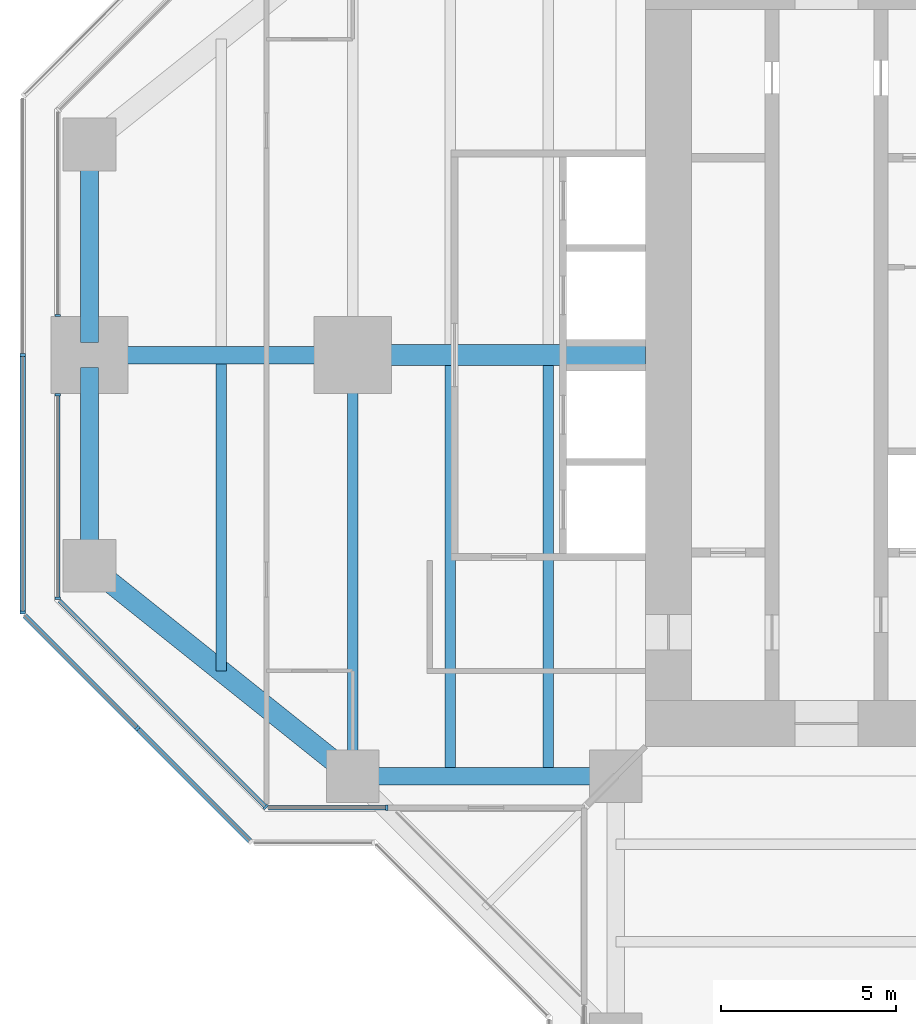
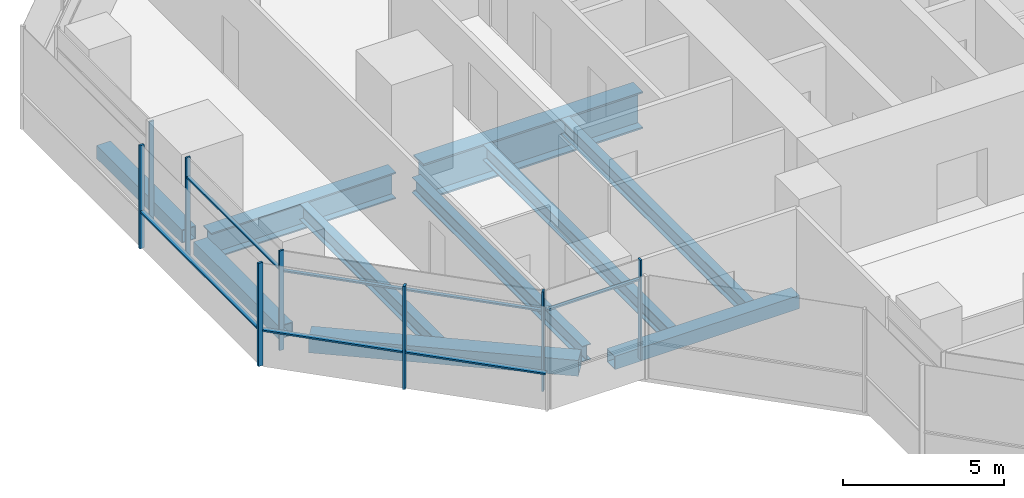
# One storey, part 3 of 17: 14 members, 10 beams, 6 elements without a shape of their own.
"""IFC4 building model written with IfcOpenShell, lengths in metres."""

from ifc_helpers import new_model, si_unit, direction, frame, origin, origin_2d, place, context, subcontext, project, spatial, rectangle, hollow_rectangle, i_section, extrude, material, material_profile, profile_set, type_object, element, aggregate, save


model = new_model("IFC4")

# Units and contexts
model_context = context("Model", 3, precision=1e-05, world=origin(), true_north=direction((0.0, 1.0)))
body_context = subcontext(model_context, "Body", "Model", "MODEL_VIEW")
ifc_project = project(units=[si_unit("LENGTHUNIT", "METRE"), si_unit("AREAUNIT", "SQUARE_METRE"), si_unit("VOLUMEUNIT", "CUBIC_METRE"), si_unit("PLANEANGLEUNIT", "RADIAN"), si_unit("MASSUNIT", "GRAM", prefix="KILO")], contexts=[model_context])

# Site, building, storey
site_placement = place(None, origin())
site = spatial("IfcSite", under=ifc_project, at=site_placement, CompositionType="ELEMENT")
building_placement = place(site_placement, origin())
building = spatial("IfcBuilding", under=site, at=building_placement, Name="Mizan Broadcast Tower", CompositionType="ELEMENT")
storey_placement = place(building_placement, frame((0.0, 0.0, 240.0)))
storey = spatial("IfcBuildingStorey", under=building, at=storey_placement, Name="L56", CompositionType="ELEMENT", Elevation=240.0)

# Beams
ifc_material_1 = material(Name="Steel S355", Category="steel")
ifc_material_profile_1 = material_profile(ifc_material_1, hollow_rectangle(XDim=0.5, YDim=0.5, WallThickness=0.030029296875, at=origin_2d()), Name="BOX 500x500x30")
ifc_profile_set_1 = profile_set([ifc_material_profile_1], Name="Steel S355")
beam_type_1 = type_object("IfcBeamType", Name="EDGE BEAM BOX 500x500x30", PredefinedType="SPANDREL", material=ifc_profile_set_1)
beam_1_placement = place(storey_placement, frame((-27.0, 5.639892578125, -0.3798828125), z_axis=(0.0, -1.0, 0.0), x_axis=(1.0, 0.0, 0.0)))
element("IfcBeam", 1, at=beam_1_placement, inside=storey, type_object=beam_type_1, Name="Edge beam BOX 500x500x30 L56 west arm", PredefinedType="SPANDREL", context=body_context, shape_type="SweptSolid", body=[
    extrude(hollow_rectangle(XDim=0.5, YDim=0.5, WallThickness=0.030029296875, at=origin_2d()), origin(), (0.0, 0.0, 1.0), 5.27978515625),
])
beam_2_placement = place(storey_placement, frame((-12.449951171875, -12.0, -0.3798828125), z_axis=(-1.0, 0.0, 0.0), x_axis=(0.0, -1.0, 0.0)))
element("IfcBeam", 2, at=beam_2_placement, inside=storey, type_object=beam_type_1, Name="Edge beam BOX 500x500x30 L56 west arm", PredefinedType="SPANDREL", context=body_context, shape_type="SweptSolid", body=[
    extrude(hollow_rectangle(XDim=0.5, YDim=0.5, WallThickness=0.030029296875, at=origin_2d()), origin(), (0.0, 0.0, 1.0), 6.60009765625),
])
beam_3_placement = place(storey_placement, frame((-27.0, -5.639892578125, -0.3798828125), z_axis=(0.0, 1.0, 0.0), x_axis=(-1.0, 0.0, 0.0)))
element("IfcBeam", 3, at=beam_3_placement, inside=storey, type_object=beam_type_1, Name="Edge beam BOX 500x500x30 L56 west arm", PredefinedType="SPANDREL", context=body_context, shape_type="SweptSolid", body=[
    extrude(hollow_rectangle(XDim=0.5, YDim=0.5, WallThickness=0.030029296875, at=origin_2d()), origin(), (0.0, 0.0, 1.0), 5.27978515625),
])
ifc_material_2 = material(Name="Steel S355", Category="steel")
ifc_material_profile_2 = material_profile(ifc_material_2, hollow_rectangle(XDim=0.60009765625, YDim=0.60009765625, WallThickness=0.030029296875, at=origin_2d()), Name="BOX 600x600x30")
ifc_profile_set_2 = profile_set([ifc_material_profile_2], Name="Steel S355")
beam_type_2 = type_object("IfcBeamType", Name="EDGE BEAM BOX 600x600x30", PredefinedType="SPANDREL", material=ifc_profile_set_2)
beam_4_placement = place(storey_placement, frame((-19.949951171875, -11.639892578125, -0.429931640625), z_axis=(-0.780885717636, 0.624673911726, 0.0), x_axis=(-0.624673911726, -0.780885717636, 0.0)))
element("IfcBeam", 4, at=beam_4_placement, inside=storey, type_object=beam_type_2, Name="Edge beam BOX 600x600x30 L56 west arm", PredefinedType="SPANDREL", context=body_context, shape_type="SweptSolid", body=[
    extrude(hollow_rectangle(XDim=0.60009765625, YDim=0.60009765625, WallThickness=0.030029296875, at=origin_2d()), origin(), (0.0, 0.0, 1.0), 8.4521484375),
])
ifc_material_3 = material(Name="Steel S355", Category="steel")
ifc_material_profile_3 = material_profile(ifc_material_3, i_section(OverallWidth=0.300048828125, OverallDepth=0.590087890625, WebThickness=0.012939453125, FlangeThickness=0.02490234375, FilletRadius=0.027099609375, at=origin_2d()), Name="HEA 600")
ifc_profile_set_3 = profile_set([ifc_material_profile_3], Name="Steel S355")
beam_type_3 = type_object("IfcBeamType", Name="GIRDER HEA 600", PredefinedType="BEAM", material=ifc_profile_set_3)
beam_5_placement = place(storey_placement, frame((-19.5, -11.280029296875, -0.425048828125), z_axis=(0.0, 1.0, 0.0), x_axis=(-1.0, 0.0, 0.0)))
element("IfcBeam", 5, at=beam_5_placement, inside=storey, type_object=beam_type_3, Name="Girder HEA 600 L56 west arm", PredefinedType="BEAM", context=body_context, shape_type="SweptSolid", body=[
    extrude(i_section(OverallWidth=0.300048828125, OverallDepth=0.590087890625, WebThickness=0.012939453125, FlangeThickness=0.02490234375, FilletRadius=0.027099609375, at=origin_2d()), origin(), (0.0, 0.0, 1.0), 10.56005859375),
])
ifc_material_4 = material(Name="Steel S460", Category="steel")
ifc_material_profile_4 = material_profile(ifc_material_4, i_section(OverallWidth=0.5, OverallDepth=1.0, WebThickness=0.02490234375, FlangeThickness=0.050048828125, at=origin_2d()), Name="WPG 1000x500")
ifc_profile_set_4 = profile_set([ifc_material_profile_4], Name="Steel S460")
beam_type_4 = type_object("IfcBeamType", Name="GIRDER WPG 1000x500", PredefinedType="BEAM", material=ifc_profile_set_4)
beam_6_placement = place(storey_placement, frame((-19.949951171875, 0.0, -0.6298828125), z_axis=(-1.0, 0.0, 0.0), x_axis=(0.0, -1.0, 0.0)))
element("IfcBeam", 6, at=beam_6_placement, inside=storey, type_object=beam_type_4, Name="Girder WPG 1000x500 L56 west arm", PredefinedType="BEAM", context=body_context, shape_type="SweptSolid", body=[
    extrude(i_section(OverallWidth=0.5, OverallDepth=1.0, WebThickness=0.02490234375, FlangeThickness=0.050048828125, at=origin_2d()), origin(), (0.0, 0.0, 1.0), 6.60009765625),
])
ifc_material_5 = material(Name="Steel S460", Category="steel")
ifc_material_profile_5 = material_profile(ifc_material_5, i_section(OverallWidth=0.60009765625, OverallDepth=1.39990234375, WebThickness=0.02490234375, FlangeThickness=0.06005859375, at=origin_2d()), Name="WPG 1400x600")
ifc_profile_set_5 = profile_set([ifc_material_profile_5], Name="Steel S460")
beam_type_5 = type_object("IfcBeamType", Name="GIRDER WPG 1400x600", PredefinedType="BEAM", material=ifc_profile_set_5)
beam_7_placement = place(storey_placement, frame((-11.14990234375, 0.0, -0.830078125), z_axis=(-1.0, 0.0, 0.0), x_axis=(0.0, -1.0, 0.0)))
element("IfcBeam", 7, at=beam_7_placement, inside=storey, type_object=beam_type_5, Name="Girder WPG 1400x600 L56 west arm", PredefinedType="BEAM", context=body_context, shape_type="SweptSolid", body=[
    extrude(i_section(OverallWidth=0.60009765625, OverallDepth=1.39990234375, WebThickness=0.02490234375, FlangeThickness=0.06005859375, at=origin_2d()), origin(), (0.0, 0.0, 1.0), 7.84912109375),
])

# Curtain wall, member
ifc_material_6 = material(Name="Aluminium framed glazing", Category="aluminium")
curtain_wall_type_1 = type_object("IfcCurtainWallType", Name="INNER SKIN HIGH ZONE", PredefinedType="USERDEFINED", material=ifc_material_6)
curtain_wall_1_placement = place(storey_placement, origin())
curtain_wall_1 = element("IfcCurtainWall", 8, at=curtain_wall_1_placement, inside=storey, type_object=curtain_wall_type_1, Name="Inner skin high zone L56 W end", ObjectType="INNER SKIN HIGH ZONE", PredefinedType="USERDEFINED")
ifc_material_7 = material(Name="Aluminium, pale anodised", Category="aluminium")
ifc_material_profile_6 = material_profile(ifc_material_7, rectangle(XDim=0.159912109375, YDim=0.06005859375, at=origin_2d()), Name="MULLION 160x60")
ifc_profile_set_6 = profile_set([ifc_material_profile_6], Name="Aluminium, pale anodised")
member_type_1 = type_object("IfcMemberType", Name="INNER SKIN MULLION 60x160", PredefinedType="MULLION", material=ifc_profile_set_6)
member_1_placement = place(storey_placement, frame((-27.89990234375, 1.1298828125, 0.0), z_axis=(0.0, 0.0, 1.0), x_axis=(1.0, 0.0, 0.0)))
member_1 = element("IfcMember", 9, at=member_1_placement, type_object=member_type_1, Name="Inner skin high zone L56 W end mullion 2", PredefinedType="MULLION", context=body_context, shape_type="SweptSolid", body=[
    extrude(rectangle(XDim=0.159912109375, YDim=0.06005859375, at=origin_2d()), origin(), (0.0, 0.0, 1.0), 3.77001953125),
])
aggregate(curtain_wall_1, [member_1])

# Curtain wall, members
curtain_wall_2_placement = place(storey_placement, origin())
curtain_wall_2 = element("IfcCurtainWall", 10, at=curtain_wall_2_placement, inside=storey, type_object=curtain_wall_type_1, Name="Inner skin high zone L56 W end", ObjectType="INNER SKIN HIGH ZONE", PredefinedType="USERDEFINED")
member_2_placement = place(storey_placement, frame((-27.89990234375, -1.1298828125, 0.0), z_axis=(0.0, 0.0, 1.0), x_axis=(1.0, 0.0, 0.0)))
member_2 = element("IfcMember", 11, at=member_2_placement, type_object=member_type_1, Name="Inner skin high zone L56 W end mullion 1", PredefinedType="MULLION", context=body_context, shape_type="SweptSolid", body=[
    extrude(rectangle(XDim=0.159912109375, YDim=0.06005859375, at=origin_2d()), origin(), (0.0, 0.0, 1.0), 3.77001953125),
])
member_3_placement = place(storey_placement, frame((-27.89990234375, -6.928466796875, 0.0), z_axis=(0.0, 0.0, 1.0), x_axis=(1.0, 0.0, 0.0)))
member_3 = element("IfcMember", 12, at=member_3_placement, type_object=member_type_1, Name="Inner skin high zone L56 W end mullion 2", PredefinedType="MULLION", context=body_context, shape_type="SweptSolid", body=[
    extrude(rectangle(XDim=0.159912109375, YDim=0.06005859375, at=origin_2d()), origin(), (0.0, 0.0, 1.0), 3.77001953125),
])

# Curtain wall, member
curtain_wall_3_placement = place(storey_placement, origin())
curtain_wall_3 = element("IfcCurtainWall", 13, at=curtain_wall_3_placement, inside=storey, type_object=curtain_wall_type_1, Name="Inner skin high zone L56 W chamfer", ObjectType="INNER SKIN HIGH ZONE", PredefinedType="USERDEFINED")
member_4_placement = place(storey_placement, frame((-21.979736328125, -12.87890625, 0.0), z_axis=(0.0, 0.0, 1.0), x_axis=(0.707106781187, 0.707106781187, 0.0)))
member_4 = element("IfcMember", 14, at=member_4_placement, type_object=member_type_1, Name="Inner skin high zone L56 W chamfer mullion 2", PredefinedType="MULLION", context=body_context, shape_type="SweptSolid", body=[
    extrude(rectangle(XDim=0.159912109375, YDim=0.06005859375, at=origin_2d()), origin(), (0.0, 0.0, 1.0), 3.77001953125),
])

curtain_wall_4_placement = place(storey_placement, origin())
curtain_wall_4 = element("IfcCurtainWall", 15, at=curtain_wall_4_placement, inside=storey, type_object=curtain_wall_type_1, Name="Inner skin high zone L56 W side", ObjectType="INNER SKIN HIGH ZONE", PredefinedType="USERDEFINED")
member_5_placement = place(storey_placement, frame((-18.530029296875, -12.89990234375, 0.0), z_axis=(0.0, 0.0, 1.0), x_axis=(0.0, 1.0, 0.0)))
member_5 = element("IfcMember", 16, at=member_5_placement, type_object=member_type_1, Name="Inner skin high zone L56 W side mullion 2", PredefinedType="MULLION", context=body_context, shape_type="SweptSolid", body=[
    extrude(rectangle(XDim=0.159912109375, YDim=0.06005859375, at=origin_2d()), origin(), (0.0, 0.0, 1.0), 3.77001953125),
])

# Member
ifc_material_8 = material(Name="Aluminium, pale anodised", Category="aluminium")
ifc_material_profile_7 = material_profile(ifc_material_8, rectangle(XDim=0.1201171875, YDim=0.06005859375, at=origin_2d()), Name="TRANSOM 120x60")
ifc_profile_set_7 = profile_set([ifc_material_profile_7], Name="Aluminium, pale anodised")
member_type_2 = type_object("IfcMemberType", Name="INNER SKIN TRANSOM 60x120", PredefinedType="USERDEFINED", material=ifc_profile_set_7)
member_6_placement = place(storey_placement, frame((-27.89990234375, -1.159912109375, 3.030029296875), z_axis=(0.0, -1.0, 0.0), x_axis=(1.0, 0.0, 0.0)))
member_6 = element("IfcMember", 17, at=member_6_placement, type_object=member_type_2, Name="Inner skin high zone L56 W end transom 1.1", ObjectType="TRANSOM", PredefinedType="USERDEFINED", context=body_context, shape_type="SweptSolid", body=[
    extrude(rectangle(XDim=0.1201171875, YDim=0.06005859375, at=origin_2d()), origin(), (0.0, 0.0, 1.0), 5.73876953125),
])

aggregate(curtain_wall_2, [member_2, member_3, member_6])

member_7_placement = place(storey_placement, frame((-27.857666015625, -7.0009765625, 3.030029296875), z_axis=(0.707106781187, -0.707106781187, 0.0), x_axis=(0.707106781187, 0.707106781187, 0.0)))
member_7 = element("IfcMember", 18, at=member_7_placement, type_object=member_type_2, Name="Inner skin high zone L56 W chamfer transom 1.1", ObjectType="TRANSOM", PredefinedType="USERDEFINED", context=body_context, shape_type="SweptSolid", body=[
    extrude(rectangle(XDim=0.1201171875, YDim=0.06005859375, at=origin_2d()), origin(), (0.0, 0.0, 1.0), 8.28271484375),
])

aggregate(curtain_wall_3, [member_4, member_7])

member_8_placement = place(storey_placement, frame((-21.898681640625, -12.89990234375, 3.030029296875), z_axis=(1.0, 0.0, 0.0), x_axis=(0.0, 1.0, 0.0)))
member_8 = element("IfcMember", 19, at=member_8_placement, type_object=member_type_2, Name="Inner skin high zone L56 W side transom 1.1", ObjectType="TRANSOM", PredefinedType="USERDEFINED", context=body_context, shape_type="SweptSolid", body=[
    extrude(rectangle(XDim=0.1201171875, YDim=0.06005859375, at=origin_2d()), origin(), (0.0, 0.0, 1.0), 3.338623046875),
])

aggregate(curtain_wall_4, [member_5, member_8])

# Curtain wall, members
ifc_material_9 = material(Name="Aluminium framed glazing", Category="aluminium")
curtain_wall_type_2 = type_object("IfcCurtainWallType", Name="OUTER SKIN", PredefinedType="USERDEFINED", material=ifc_material_9)
curtain_wall_5_placement = place(storey_placement, origin())
curtain_wall_5 = element("IfcCurtainWall", 20, at=curtain_wall_5_placement, inside=storey, type_object=curtain_wall_type_2, Name="Outer skin L56 W end", ObjectType="OUTER SKIN", PredefinedType="USERDEFINED")
ifc_material_10 = material(Name="Aluminium, pale anodised", Category="aluminium")
ifc_material_profile_8 = material_profile(ifc_material_10, rectangle(XDim=0.159912109375, YDim=0.080078125, at=origin_2d()), Name="MULLION 160x80")
ifc_profile_set_8 = profile_set([ifc_material_profile_8], Name="Aluminium, pale anodised")
member_type_3 = type_object("IfcMemberType", Name="OUTER SKIN MULLION 80x160", PredefinedType="MULLION", material=ifc_profile_set_8)
member_9_placement = place(storey_placement, frame((-28.89990234375, 0.0, 0.0), z_axis=(0.0, 0.0, 1.0), x_axis=(1.0, 0.0, 0.0)))
member_9 = element("IfcMember", 21, at=member_9_placement, type_object=member_type_3, Name="Outer skin L56 W end mullion 2", PredefinedType="MULLION", context=body_context, shape_type="SweptSolid", body=[
    extrude(rectangle(XDim=0.159912109375, YDim=0.080078125, at=origin_2d()), origin(), (0.0, 0.0, 1.0), 3.89990234375),
])
member_10_placement = place(storey_placement, frame((-28.89990234375, -7.332763671875, 0.0), z_axis=(0.0, 0.0, 1.0), x_axis=(1.0, 0.0, 0.0)))
member_10 = element("IfcMember", 22, at=member_10_placement, type_object=member_type_3, Name="Outer skin L56 W end mullion 3", PredefinedType="MULLION", context=body_context, shape_type="SweptSolid", body=[
    extrude(rectangle(XDim=0.159912109375, YDim=0.080078125, at=origin_2d()), origin(), (0.0, 0.0, 1.0), 3.89990234375),
])

# Curtain wall, member
curtain_wall_6_placement = place(storey_placement, origin())
curtain_wall_6 = element("IfcCurtainWall", 23, at=curtain_wall_6_placement, inside=storey, type_object=curtain_wall_type_2, Name="Outer skin L56 W chamfer", ObjectType="OUTER SKIN", PredefinedType="USERDEFINED")
member_11_placement = place(storey_placement, frame((-25.636474609375, -10.636474609375, 0.0), z_axis=(0.0, 0.0, 1.0), x_axis=(0.707106781187, 0.707106781187, 0.0)))
member_11 = element("IfcMember", 24, at=member_11_placement, type_object=member_type_3, Name="Outer skin L56 W chamfer mullion 2", PredefinedType="MULLION", context=body_context, shape_type="SweptSolid", body=[
    extrude(rectangle(XDim=0.159912109375, YDim=0.080078125, at=origin_2d()), origin(), (0.0, 0.0, 1.0), 3.89990234375),
])

# Member
ifc_material_11 = material(Name="Aluminium, pale anodised", Category="aluminium")
ifc_material_profile_9 = material_profile(ifc_material_11, rectangle(XDim=0.159912109375, YDim=0.06005859375, at=origin_2d()), Name="TRANSOM 160x60")
ifc_profile_set_9 = profile_set([ifc_material_profile_9], Name="Aluminium, pale anodised")
member_type_4 = type_object("IfcMemberType", Name="OUTER SKIN TRANSOM 60x160", PredefinedType="USERDEFINED", material=ifc_profile_set_9)
member_12_placement = place(storey_placement, frame((-28.89990234375, -0.0400390625, 1.39990234375), z_axis=(0.0, -1.0, 0.0), x_axis=(1.0, 0.0, 0.0)))
member_12 = element("IfcMember", 25, at=member_12_placement, type_object=member_type_4, Name="Outer skin L56 W end transom 2.1", ObjectType="TRANSOM", PredefinedType="USERDEFINED", context=body_context, shape_type="SweptSolid", body=[
    extrude(rectangle(XDim=0.159912109375, YDim=0.06005859375, at=origin_2d()), origin(), (0.0, 0.0, 1.0), 7.252685546875),
])

aggregate(curtain_wall_5, [member_9, member_10, member_12])

member_13_placement = place(storey_placement, frame((-28.843505859375, -7.429443359375, 1.39990234375), z_axis=(0.707106781187, -0.707106781187, 0.0), x_axis=(0.707106781187, 0.707106781187, 0.0)))
member_13 = element("IfcMember", 26, at=member_13_placement, type_object=member_type_4, Name="Outer skin L56 W chamfer transom 1.1", ObjectType="TRANSOM", PredefinedType="USERDEFINED", context=body_context, shape_type="SweptSolid", body=[
    extrude(rectangle(XDim=0.159912109375, YDim=0.06005859375, at=origin_2d()), origin(), (0.0, 0.0, 1.0), 4.495361328125),
])

member_14_placement = place(storey_placement, frame((-25.608154296875, -10.664794921875, 1.39990234375), z_axis=(0.707106781187, -0.707106781187, 0.0), x_axis=(0.707106781187, 0.707106781187, 0.0)))
member_14 = element("IfcMember", 27, at=member_14_placement, type_object=member_type_4, Name="Outer skin L56 W chamfer transom 2.1", ObjectType="TRANSOM", PredefinedType="USERDEFINED", context=body_context, shape_type="SweptSolid", body=[
    extrude(rectangle(XDim=0.159912109375, YDim=0.06005859375, at=origin_2d()), origin(), (0.0, 0.0, 1.0), 4.495361328125),
])

aggregate(curtain_wall_6, [member_11, member_13, member_14])

# Beams
ifc_material_12 = material(Name="Steel S355", Category="steel")
ifc_material_profile_10 = material_profile(ifc_material_12, i_section(OverallWidth=0.300048828125, OverallDepth=0.590087890625, WebThickness=0.012939453125, FlangeThickness=0.02490234375, FilletRadius=0.027099609375, at=origin_2d()), Name="HEA 600")
ifc_profile_set_10 = profile_set([ifc_material_profile_10], Name="Steel S355")
beam_type_6 = type_object("IfcBeamType", Name="SECONDARY BEAM HEA 600", PredefinedType="JOIST", material=ifc_profile_set_10)
for number, where, z_axis, x_axis, name in (
    (28, (-13.933349609375, -12.0, -0.425048828125), (0.0, 1.0, 0.0), (-1.0, 0.0, 0.0), "Secondary beam HEA 600 L56 west arm"),
    (29, (-16.716552734375, -12.0, -0.425048828125), (0.0, 1.0, 0.0), (-1.0, 0.0, 0.0), "Secondary beam HEA 600 L56 west arm"),
):
    element("IfcBeam", number, at=place(storey_placement, frame(where, z_axis=z_axis, x_axis=x_axis)), inside=storey, type_object=beam_type_6, Name=name, PredefinedType="JOIST", context=body_context, shape_type="SweptSolid", body=[
        extrude(i_section(OverallWidth=0.300048828125, OverallDepth=0.590087890625, WebThickness=0.012939453125, FlangeThickness=0.02490234375, FilletRadius=0.027099609375, at=origin_2d()), origin(), (0.0, 0.0, 1.0), 11.699951171875),
    ])
beam_8_placement = place(storey_placement, frame((-23.25, -9.0, -0.425048828125), z_axis=(0.0, 1.0, 0.0), x_axis=(-1.0, 0.0, 0.0)))
element("IfcBeam", 30, at=beam_8_placement, inside=storey, type_object=beam_type_6, Name="Secondary beam HEA 600 L56 west arm", PredefinedType="JOIST", context=body_context, shape_type="SweptSolid", body=[
    extrude(i_section(OverallWidth=0.300048828125, OverallDepth=0.590087890625, WebThickness=0.012939453125, FlangeThickness=0.02490234375, FilletRadius=0.027099609375, at=origin_2d()), origin(), (0.0, 0.0, 1.0), 8.75),
])

save(model, "model.ifc")
